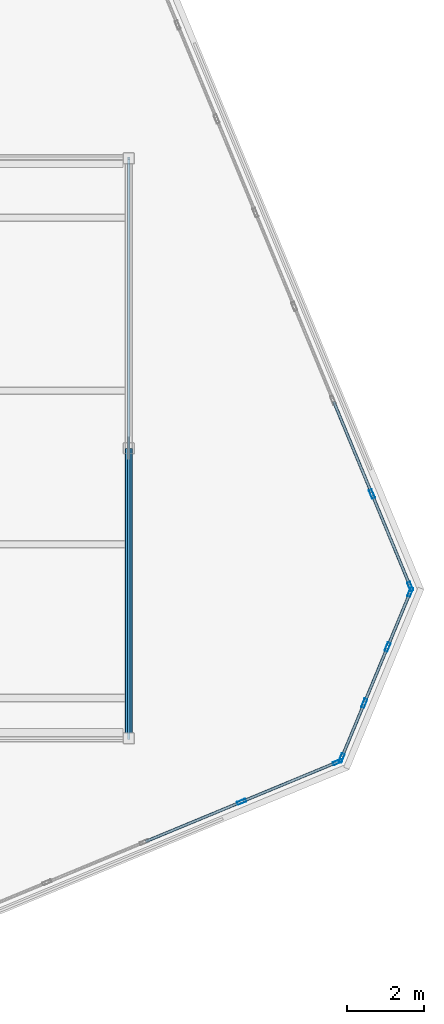
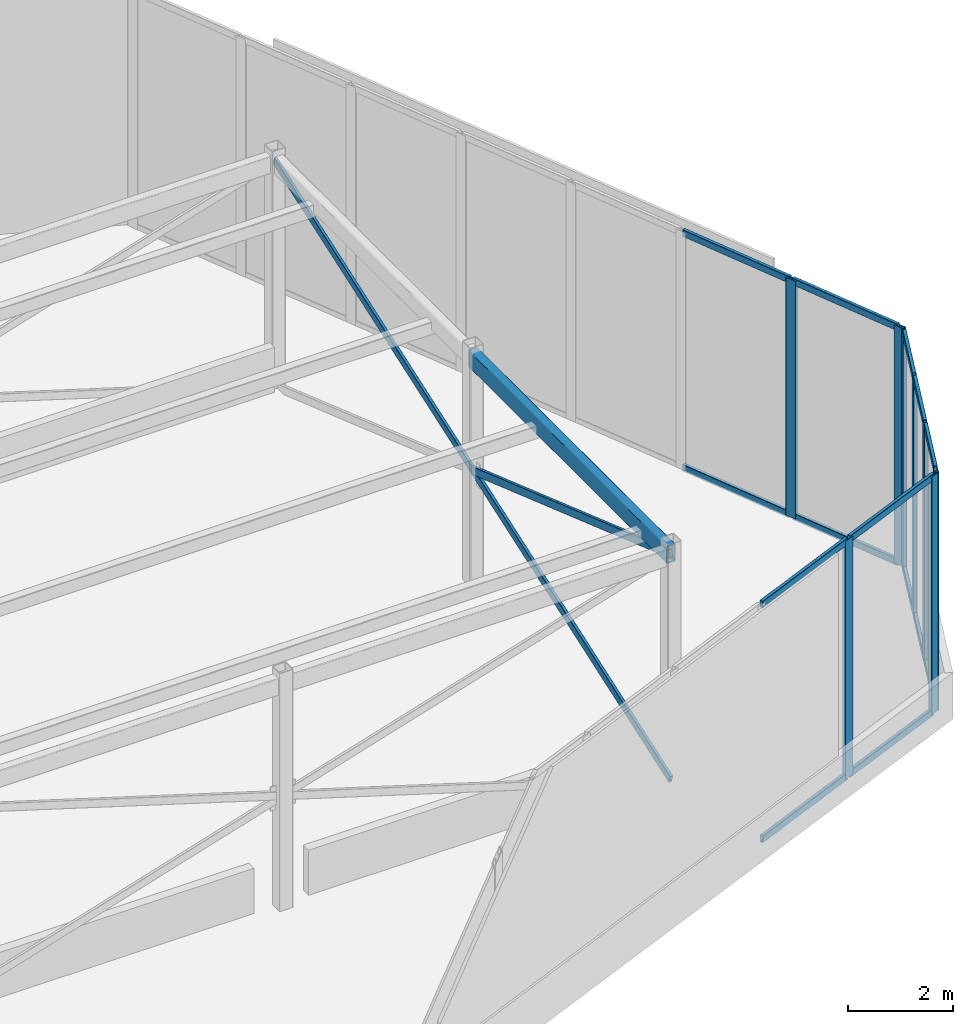
# One storey, part 6 of 12: 25 members, 3 elements without a shape of their own.
"""IFC4 building model written with IfcOpenShell, lengths in metres."""

from ifc_helpers import new_model, si_unit, direction, frame, origin, origin_2d, place, context, subcontext, project, spatial, hollow_rectangle, extrude, source, transform, mapped, material, material_profile, profile_set, type_object, element, aggregate, save


model = new_model("IFC4")

# Units and contexts
model_context = context("Model", 3, precision=1e-05, world=origin(), true_north=direction((0.0, 1.0)))
body_context = subcontext(model_context, "Body", "Model", "MODEL_VIEW")
ifc_project = project(units=[si_unit("LENGTHUNIT", "METRE"), si_unit("AREAUNIT", "SQUARE_METRE"), si_unit("VOLUMEUNIT", "CUBIC_METRE"), si_unit("PLANEANGLEUNIT", "RADIAN"), si_unit("MASSUNIT", "GRAM", prefix="KILO")], contexts=[model_context])

# Site, building, storey
site_placement = place(None, origin())
site = spatial("IfcSite", under=ifc_project, at=site_placement, CompositionType="ELEMENT")
building_placement = place(site_placement, origin())
building = spatial("IfcBuilding", under=site, at=building_placement, Name="Torre Montelarca", CompositionType="ELEMENT")
storey_placement = place(building_placement, frame((0.0, 0.0, 370.60009765625)))
storey = spatial("IfcBuildingStorey", under=building, at=storey_placement, Name="RF", CompositionType="ELEMENT", Elevation=370.60009765625)

# Member
ifc_material_1 = material(Name="Steel ASTM A500 Grade C", Category="steel")
ifc_material_profile_1 = material_profile(ifc_material_1, hollow_rectangle(XDim=0.203125, YDim=0.406494140625, WallThickness=0.015869140625, InnerFilletRadius=0.015869140625, OuterFilletRadius=0.03173828125, at=origin_2d()), Name="HSS406X203X15.9", Category="steel")
ifc_profile_set_1 = profile_set([ifc_material_profile_1], Name="Steel ASTM A500 Grade C")
member_type_1 = type_object("IfcMemberType", Name="MB-CF-HSS406-EXT", PredefinedType="USERDEFINED", material=ifc_profile_set_1)
shared_shape_1 = source(origin(), body_context, "Body", "SweptSolid", [
    extrude(hollow_rectangle(XDim=0.203125, YDim=0.406494140625, WallThickness=0.015869140625, InnerFilletRadius=0.015869140625, OuterFilletRadius=0.03173828125, at=origin_2d()), origin(), (0.0, 0.0, 1.0), 7.550048828125),
])
member_1_placement = place(storey_placement, frame((26.550048828125, 24.449951171875, 5.199951171875), z_axis=(0.0, 1.0, 0.0), x_axis=(-1.0, 0.0, 0.0)))
element("IfcMember", 1, at=member_1_placement, inside=storey, type_object=member_type_1, Name="RF Crown Frame Ring Beam 07", ObjectType="CROWN FRAME", PredefinedType="USERDEFINED", context=body_context, shape_type="MappedRepresentation", body=[
    mapped(shared_shape_1, transform((0.0, 0.0, 0.0), scale=1.0)),
])

# Curtain wall, members
ifc_material_2 = material(Name="Amber translucent laminated glass", Category="glass")
curtain_wall_type = type_object("IfcCurtainWallType", Name="CW-SYS-LANT", PredefinedType="USERDEFINED", material=ifc_material_2)
curtain_wall_1_placement = place(storey_placement, origin())
curtain_wall_1 = element("IfcCurtainWall", 2, at=curtain_wall_1_placement, inside=storey, type_object=curtain_wall_type, Name="RF Crown Translucent Amber Lantern Curtain Wall 03-1", ObjectType="TRANSLUCENT LANTERN", PredefinedType="USERDEFINED")
ifc_material_3 = material(Name="Anodised aluminium AA 6063-T6", Category="aluminium")
ifc_material_profile_2 = material_profile(ifc_material_3, hollow_rectangle(XDim=0.080078125, YDim=0.239990234375, WallThickness=0.0048828125, InnerFilletRadius=0.0048828125, OuterFilletRadius=0.010009765625, at=origin_2d()), Name="ALU80X240X5", Category="aluminium")
ifc_profile_set_2 = profile_set([ifc_material_profile_2], Name="Anodised aluminium AA 6063-T6")
member_type_2 = type_object("IfcMemberType", Name="CWM-ALU240", PredefinedType="MULLION", material=ifc_profile_set_2)
shared_shape_2 = source(origin(), body_context, "Body", "SweptSolid", [
    extrude(hollow_rectangle(XDim=0.080078125, YDim=0.239990234375, WallThickness=0.0048828125, InnerFilletRadius=0.0048828125, OuterFilletRadius=0.010009765625, at=origin_2d()), origin(), (0.0, 0.0, 1.0), 5.539794921875),
])
member_2_placement = place(storey_placement, frame((29.4873046875, 22.796142578125, 0.0), z_axis=(0.0, 0.0, 1.0), x_axis=(-0.382686665357, 0.923878193356, 0.0)))
member_2 = element("IfcMember", 3, at=member_2_placement, type_object=member_type_2, Name="CW mullion 7", PredefinedType="MULLION", context=body_context, shape_type="MappedRepresentation", body=[
    mapped(shared_shape_2, transform((0.0, 0.0, 0.0), scale=1.0)),
])
member_3_placement = place(storey_placement, frame((31.984375, 23.830322265625, 0.0), z_axis=(0.0, 0.0, 1.0), x_axis=(-0.382686665357, 0.923878193356, 0.0)))
member_3 = element("IfcMember", 4, at=member_3_placement, type_object=member_type_2, Name="CW mullion 8", PredefinedType="MULLION", context=body_context, shape_type="MappedRepresentation", body=[
    mapped(shared_shape_2, transform((0.0, 0.0, 0.0), scale=1.0)),
])

curtain_wall_2_placement = place(storey_placement, origin())
curtain_wall_2 = element("IfcCurtainWall", 5, at=curtain_wall_2_placement, inside=storey, type_object=curtain_wall_type, Name="RF Crown Translucent Amber Lantern Curtain Wall 04-1", ObjectType="TRANSLUCENT LANTERN", PredefinedType="USERDEFINED")
member_4_placement = place(storey_placement, frame((32.091552734375, 23.9375, 0.0), z_axis=(0.0, 0.0, 1.0), x_axis=(-0.923875956154, 0.38269206634, 0.0)))
member_4 = element("IfcMember", 6, at=member_4_placement, type_object=member_type_2, Name="CW mullion 1", PredefinedType="MULLION", context=body_context, shape_type="MappedRepresentation", body=[
    mapped(shared_shape_2, transform((0.0, 0.0, 0.0), scale=1.0)),
])
member_5_placement = place(storey_placement, frame((32.68212890625, 25.36328125, 0.0), z_axis=(0.0, 0.0, 1.0), x_axis=(-0.923875956154, 0.38269206634, 0.0)))
member_5 = element("IfcMember", 7, at=member_5_placement, type_object=member_type_2, Name="CW mullion 2", PredefinedType="MULLION", context=body_context, shape_type="MappedRepresentation", body=[
    mapped(shared_shape_2, transform((0.0, 0.0, 0.0), scale=1.0)),
])
member_6_placement = place(storey_placement, frame((33.2880859375, 26.826171875, 0.0), z_axis=(0.0, 0.0, 1.0), x_axis=(-0.923875956154, 0.38269206634, 0.0)))
member_6 = element("IfcMember", 8, at=member_6_placement, type_object=member_type_2, Name="CW mullion 3", PredefinedType="MULLION", context=body_context, shape_type="MappedRepresentation", body=[
    mapped(shared_shape_2, transform((0.0, 0.0, 0.0), scale=1.0)),
])
member_7_placement = place(storey_placement, frame((33.878662109375, 28.251953125, 0.0), z_axis=(0.0, 0.0, 1.0), x_axis=(-0.923875956154, 0.38269206634, 0.0)))
member_7 = element("IfcMember", 9, at=member_7_placement, type_object=member_type_2, Name="CW mullion 4", PredefinedType="MULLION", context=body_context, shape_type="MappedRepresentation", body=[
    mapped(shared_shape_2, transform((0.0, 0.0, 0.0), scale=1.0)),
])

curtain_wall_3_placement = place(storey_placement, origin())
curtain_wall_3 = element("IfcCurtainWall", 10, at=curtain_wall_3_placement, inside=storey, type_object=curtain_wall_type, Name="RF Crown Translucent Amber Lantern Curtain Wall 05-1", ObjectType="TRANSLUCENT LANTERN", PredefinedType="USERDEFINED")
member_8_placement = place(storey_placement, frame((33.878662109375, 28.4033203125, 0.0), z_axis=(0.0, 0.0, 1.0), x_axis=(-0.923877887885, -0.382687402821, 0.0)))
member_8 = element("IfcMember", 11, at=member_8_placement, type_object=member_type_2, Name="CW mullion 1", PredefinedType="MULLION", context=body_context, shape_type="MappedRepresentation", body=[
    mapped(shared_shape_2, transform((0.0, 0.0, 0.0), scale=1.0)),
])
member_9_placement = place(storey_placement, frame((32.882568359375, 30.80810546875, 0.0), z_axis=(0.0, 0.0, 1.0), x_axis=(-0.923877887885, -0.382687402821, 0.0)))
member_9 = element("IfcMember", 12, at=member_9_placement, type_object=member_type_2, Name="CW mullion 2", PredefinedType="MULLION", context=body_context, shape_type="MappedRepresentation", body=[
    mapped(shared_shape_2, transform((0.0, 0.0, 0.0), scale=1.0)),
])
ifc_material_profile_3 = material_profile(ifc_material_3, hollow_rectangle(XDim=0.074951171875, YDim=0.159912109375, WallThickness=0.0048828125, InnerFilletRadius=0.0048828125, OuterFilletRadius=0.010009765625, at=origin_2d()), Name="ALU75X160X5", Category="aluminium")
ifc_profile_set_3 = profile_set([ifc_material_profile_3], Name="Anodised aluminium AA 6063-T6")
member_type_3 = type_object("IfcMemberType", Name="CWT-ALU160", PredefinedType="USERDEFINED", material=ifc_profile_set_3)
shared_shape_3 = source(origin(), body_context, "Body", "SweptSolid", [
    extrude(hollow_rectangle(XDim=0.074951171875, YDim=0.159912109375, WallThickness=0.0048828125, InnerFilletRadius=0.0048828125, OuterFilletRadius=0.010009765625, at=origin_2d()), origin(), (0.0, 0.0, 1.0), 2.56298828125),
])
member_10_placement = place(storey_placement, frame((32.8671875, 30.844970703125, 0.037353515625), z_axis=(-0.382646247132, 0.923894934262, 0.0), x_axis=(-0.923894934262, -0.382646247132, 0.0)))
member_10 = element("IfcMember", 13, at=member_10_placement, type_object=member_type_3, Name="CW transom 2.1", ObjectType="TRANSOM", PredefinedType="USERDEFINED", context=body_context, shape_type="MappedRepresentation", body=[
    mapped(shared_shape_3, transform((0.0, 0.0, 0.0), scale=1.0)),
])
member_11_placement = place(storey_placement, frame((32.8671875, 30.844970703125, 5.50244140625), z_axis=(-0.382646247132, 0.923894934262, 0.0), x_axis=(-0.923894934262, -0.382646247132, 0.0)))
member_11 = element("IfcMember", 14, at=member_11_placement, type_object=member_type_3, Name="CW transom 2.2", ObjectType="TRANSOM", PredefinedType="USERDEFINED", context=body_context, shape_type="MappedRepresentation", body=[
    mapped(shared_shape_3, transform((0.0, 0.0, 0.0), scale=1.0)),
])

# Member
shared_shape_4 = source(origin(), body_context, "Body", "SweptSolid", [
    extrude(hollow_rectangle(XDim=0.074951171875, YDim=0.159912109375, WallThickness=0.0048828125, InnerFilletRadius=0.0048828125, OuterFilletRadius=0.010009765625, at=origin_2d()), origin(), (0.0, 0.0, 1.0), 2.623046875),
])
member_12_placement = place(storey_placement, frame((29.524169921875, 22.811279296875, 0.037353515625), z_axis=(0.923862545677, 0.382724439636, 0.0), x_axis=(-0.382724439636, 0.923862545677, 0.0)))
member_12 = element("IfcMember", 15, at=member_12_placement, type_object=member_type_3, Name="CW transom 7.1", ObjectType="TRANSOM", PredefinedType="USERDEFINED", context=body_context, shape_type="MappedRepresentation", body=[
    mapped(shared_shape_4, transform((0.0, 0.0, 0.0), scale=1.0)),
])

member_13_placement = place(storey_placement, frame((29.524169921875, 22.811279296875, 5.50244140625), z_axis=(0.923862545677, 0.382724439636, 0.0), x_axis=(-0.382724439636, 0.923862545677, 0.0)))
member_13 = element("IfcMember", 16, at=member_13_placement, type_object=member_type_3, Name="CW transom 7.2", ObjectType="TRANSOM", PredefinedType="USERDEFINED", context=body_context, shape_type="MappedRepresentation", body=[
    mapped(shared_shape_4, transform((0.0, 0.0, 0.0), scale=1.0)),
])

shared_shape_5 = source(origin(), body_context, "Body", "SweptSolid", [
    extrude(hollow_rectangle(XDim=0.074951171875, YDim=0.159912109375, WallThickness=0.0048828125, InnerFilletRadius=0.0048828125, OuterFilletRadius=0.010009765625, at=origin_2d()), origin(), (0.0, 0.0, 1.0), 2.662841796875),
])
member_14_placement = place(storey_placement, frame((26.990234375, 21.76171875, 0.037353515625), z_axis=(0.923880507149, 0.382681079373, 0.0), x_axis=(-0.382681079373, 0.923880507149, 0.0)))
member_14 = element("IfcMember", 17, at=member_14_placement, type_object=member_type_3, Name="CW transom 6.1", ObjectType="TRANSOM", PredefinedType="USERDEFINED", context=body_context, shape_type="MappedRepresentation", body=[
    mapped(shared_shape_5, transform((0.0, 0.0, 0.0), scale=1.0)),
])

member_15_placement = place(storey_placement, frame((26.990234375, 21.76171875, 5.50244140625), z_axis=(0.923880507149, 0.382681079373, 0.0), x_axis=(-0.382681079373, 0.923880507149, 0.0)))
member_15 = element("IfcMember", 18, at=member_15_placement, type_object=member_type_3, Name="CW transom 6.2", ObjectType="TRANSOM", PredefinedType="USERDEFINED", context=body_context, shape_type="MappedRepresentation", body=[
    mapped(shared_shape_5, transform((0.0, 0.0, 0.0), scale=1.0)),
])

aggregate(curtain_wall_1, [member_2, member_3, member_14, member_15, member_12, member_13])

shared_shape_6 = source(origin(), body_context, "Body", "SweptSolid", [
    extrude(hollow_rectangle(XDim=0.074951171875, YDim=0.159912109375, WallThickness=0.0048828125, InnerFilletRadius=0.0048828125, OuterFilletRadius=0.010009765625, at=origin_2d()), origin(), (0.0, 0.0, 1.0), 1.463134765625),
])
member_16_placement = place(storey_placement, frame((32.10693359375, 23.974609375, 0.037353515625), z_axis=(0.382754568571, 0.923850063721, 0.0), x_axis=(-0.923850063721, 0.382754568571, 0.0)))
member_16 = element("IfcMember", 19, at=member_16_placement, type_object=member_type_3, Name="CW transom 1.1", ObjectType="TRANSOM", PredefinedType="USERDEFINED", context=body_context, shape_type="MappedRepresentation", body=[
    mapped(shared_shape_6, transform((0.0, 0.0, 0.0), scale=1.0)),
])

member_17_placement = place(storey_placement, frame((32.10693359375, 23.974609375, 5.50244140625), z_axis=(0.382754568571, 0.923850063721, 0.0), x_axis=(-0.923850063721, 0.382754568571, 0.0)))
member_17 = element("IfcMember", 20, at=member_17_placement, type_object=member_type_3, Name="CW transom 1.2", ObjectType="TRANSOM", PredefinedType="USERDEFINED", context=body_context, shape_type="MappedRepresentation", body=[
    mapped(shared_shape_6, transform((0.0, 0.0, 0.0), scale=1.0)),
])

member_18_placement = place(storey_placement, frame((33.303466796875, 26.863037109375, 0.037353515625), z_axis=(0.382612148383, 0.923909056082, 0.0), x_axis=(-0.923909056082, 0.382612148383, 0.0)))
member_18 = element("IfcMember", 21, at=member_18_placement, type_object=member_type_3, Name="CW transom 3.1", ObjectType="TRANSOM", PredefinedType="USERDEFINED", context=body_context, shape_type="MappedRepresentation", body=[
    mapped(shared_shape_6, transform((0.0, 0.0, 0.0), scale=1.0)),
])

member_19_placement = place(storey_placement, frame((33.303466796875, 26.863037109375, 5.50244140625), z_axis=(0.382612148383, 0.923909056082, 0.0), x_axis=(-0.923909056082, 0.382612148383, 0.0)))
member_19 = element("IfcMember", 22, at=member_19_placement, type_object=member_type_3, Name="CW transom 3.2", ObjectType="TRANSOM", PredefinedType="USERDEFINED", context=body_context, shape_type="MappedRepresentation", body=[
    mapped(shared_shape_6, transform((0.0, 0.0, 0.0), scale=1.0)),
])

shared_shape_7 = source(origin(), body_context, "Body", "SweptSolid", [
    extrude(hollow_rectangle(XDim=0.074951171875, YDim=0.159912109375, WallThickness=0.0048828125, InnerFilletRadius=0.0048828125, OuterFilletRadius=0.010009765625, at=origin_2d()), origin(), (0.0, 0.0, 1.0), 1.503173828125),
])
member_20_placement = place(storey_placement, frame((32.697509765625, 25.400390625, 0.037353515625), z_axis=(0.382676951949, 0.923882216761, 0.0), x_axis=(-0.923882216761, 0.382676951949, 0.0)))
member_20 = element("IfcMember", 23, at=member_20_placement, type_object=member_type_3, Name="CW transom 2.1", ObjectType="TRANSOM", PredefinedType="USERDEFINED", context=body_context, shape_type="MappedRepresentation", body=[
    mapped(shared_shape_7, transform((0.0, 0.0, 0.0), scale=1.0)),
])

member_21_placement = place(storey_placement, frame((32.697509765625, 25.400390625, 5.50244140625), z_axis=(0.382676951949, 0.923882216761, 0.0), x_axis=(-0.923882216761, 0.382676951949, 0.0)))
member_21 = element("IfcMember", 24, at=member_21_placement, type_object=member_type_3, Name="CW transom 2.2", ObjectType="TRANSOM", PredefinedType="USERDEFINED", context=body_context, shape_type="MappedRepresentation", body=[
    mapped(shared_shape_7, transform((0.0, 0.0, 0.0), scale=1.0)),
])

aggregate(curtain_wall_2, [member_4, member_5, member_6, member_7, member_16, member_17, member_20, member_21, member_18, member_19])

shared_shape_8 = source(origin(), body_context, "Body", "SweptSolid", [
    extrude(hollow_rectangle(XDim=0.074951171875, YDim=0.159912109375, WallThickness=0.0048828125, InnerFilletRadius=0.0048828125, OuterFilletRadius=0.010009765625, at=origin_2d()), origin(), (0.0, 0.0, 1.0), 2.5224609375),
])
member_22_placement = place(storey_placement, frame((33.86328125, 28.4404296875, 0.037353515625), z_axis=(-0.382676603387, 0.923882361137, 0.0), x_axis=(-0.923882361137, -0.382676603387, 0.0)))
member_22 = element("IfcMember", 25, at=member_22_placement, type_object=member_type_3, Name="CW transom 1.1", ObjectType="TRANSOM", PredefinedType="USERDEFINED", context=body_context, shape_type="MappedRepresentation", body=[
    mapped(shared_shape_8, transform((0.0, 0.0, 0.0), scale=1.0)),
])

member_23_placement = place(storey_placement, frame((33.86328125, 28.4404296875, 5.50244140625), z_axis=(-0.382676603387, 0.923882361137, 0.0), x_axis=(-0.923882361137, -0.382676603387, 0.0)))
member_23 = element("IfcMember", 26, at=member_23_placement, type_object=member_type_3, Name="CW transom 1.2", ObjectType="TRANSOM", PredefinedType="USERDEFINED", context=body_context, shape_type="MappedRepresentation", body=[
    mapped(shared_shape_8, transform((0.0, 0.0, 0.0), scale=1.0)),
])

aggregate(curtain_wall_3, [member_8, member_9, member_22, member_23, member_10, member_11])

# Members
ifc_material_4 = material(Name="Architectural perforated terracotta ceramic on aluminium AA 6063-T6", Category="masonry")
ifc_material_profile_4 = material_profile(ifc_material_4, hollow_rectangle(XDim=0.06494140625, YDim=0.179931640625, WallThickness=0.00390625, InnerFilletRadius=0.00390625, OuterFilletRadius=0.008056640625, at=origin_2d()), Name="ALU65X180X4", Category="masonry")
ifc_profile_set_4 = profile_set([ifc_material_profile_4], Name="Architectural perforated terracotta ceramic on aluminium AA 6063-T6")
member_type_4 = type_object("IfcMemberType", Name="SCR-DIAG-RIB", PredefinedType="USERDEFINED", material=ifc_profile_set_4)
shared_shape_9 = source(origin(), body_context, "Body", "SweptSolid", [
    extrude(hollow_rectangle(XDim=0.06494140625, YDim=0.179931640625, WallThickness=0.00390625, InnerFilletRadius=0.00390625, OuterFilletRadius=0.008056640625, at=origin_2d()), origin(), (0.0, 0.0, 1.0), 15.98681640625),
])
member_24_placement = place(storey_placement, frame((26.550048828125, 24.449951171875, -0.050048828125), z_axis=(0.0, 0.944539641462, 0.328397420372), x_axis=(-1.0, 0.0, 0.0)))
element("IfcMember", 27, at=member_24_placement, inside=storey, type_object=member_type_4, Name="RF Crown Continuous Diagonal Brace EA", ObjectType="SOLAR SCREEN", PredefinedType="USERDEFINED", context=body_context, shape_type="MappedRepresentation", body=[
    mapped(shared_shape_9, transform((0.0, 0.0, 0.0), scale=1.0)),
])
shared_shape_10 = source(origin(), body_context, "Body", "SweptSolid", [
    extrude(hollow_rectangle(XDim=0.06494140625, YDim=0.179931640625, WallThickness=0.00390625, InnerFilletRadius=0.00390625, OuterFilletRadius=0.008056640625, at=origin_2d()), origin(), (0.0, 0.0, 1.0), 7.993408203125),
])
member_25_placement = place(storey_placement, frame((26.550048828125, 32.0, 2.574951171875), z_axis=(0.0, -0.944539641462, 0.328397420372), x_axis=(1.0, 0.0, 0.0)))
element("IfcMember", 28, at=member_25_placement, inside=storey, type_object=member_type_4, Name="RF Crown Split Diagonal Brace Upper EB2", ObjectType="SOLAR SCREEN", PredefinedType="USERDEFINED", context=body_context, shape_type="MappedRepresentation", body=[
    mapped(shared_shape_10, transform((0.0, 0.0, 0.0), scale=1.0)),
])

save(model, "model.ifc")
